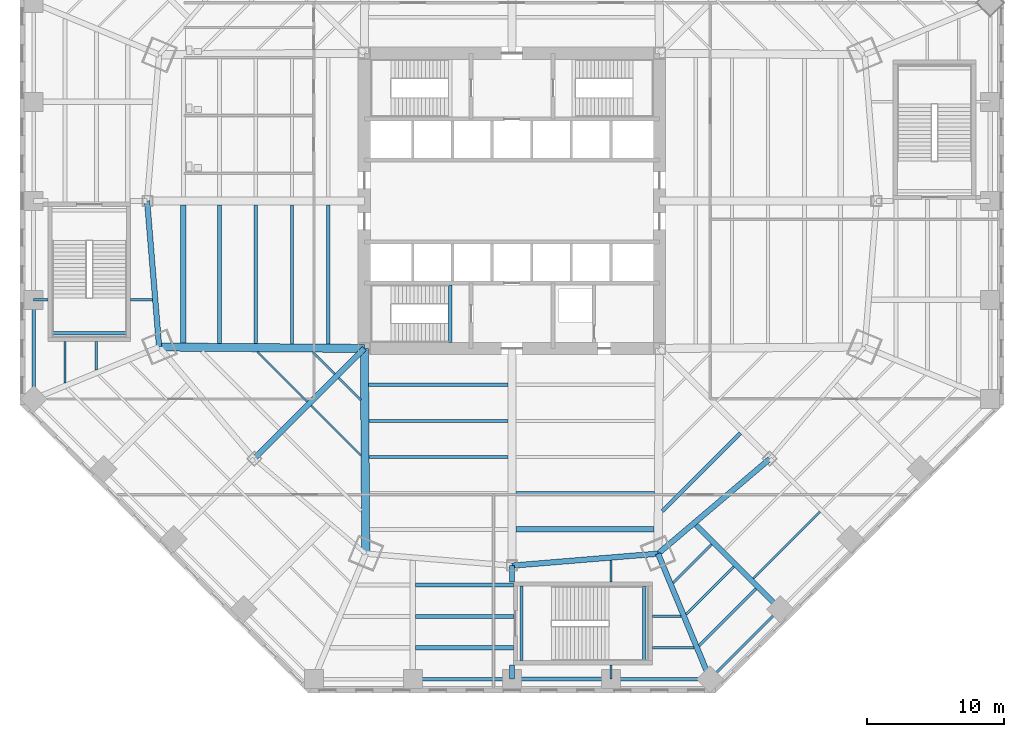
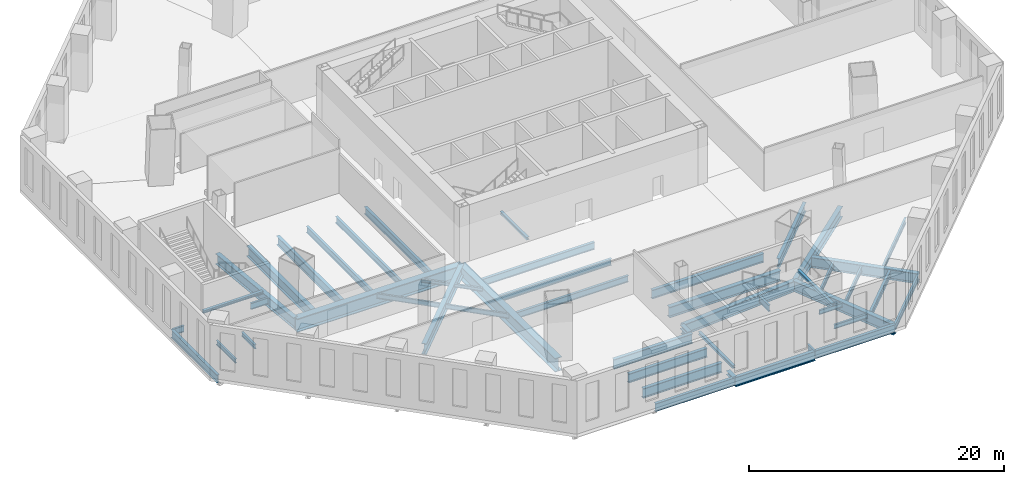
# One storey, part 2 of 18: 45 beams, 4 members.
"""IFC4 building model written with IfcOpenShell, lengths in metres."""

import ifcopenshell
import ifcopenshell.guid

model = None  # the IFC model being written
_history = None  # IfcOwnerHistory: only IFC2X3 demands one
_inside = {}  # id of a spatial element -> (the spatial element, [elements in it])
_under = {}  # id of a project, library or spatial element -> (it, [spatial elements below it])
_declared = {}  # id of a project -> (the project, [libraries it declares])
_typed = {}  # id of a type object -> (the type object, [elements of that type])
_made_of = {}  # id of a material, layer set ... -> (it, [elements and type objects made of it])


def new_model(schema):
    """Start an empty IFC model of exactly this schema.

    Asked for "IFC4X3", IfcOpenShell would pick the latest addendum, in which some entities
    have other attributes; the version numbers below select the first issue.
    IFC2X3 requires an IfcOwnerHistory on every rooted entity: one is made here for all.
    """
    global model, _history
    if schema == "IFC4X3":
        model = ifcopenshell.file(schema_version=(4, 3, 0, 0))
    else:
        model = ifcopenshell.file(schema=schema)
    _inside.clear()
    _under.clear()
    _declared.clear()
    _typed.clear()
    _made_of.clear()
    _history = None
    if model.schema == "IFC2X3":
        org = make("IfcOrganization", Name="unknown")
        user = make(
            "IfcPersonAndOrganization",
            ThePerson=make("IfcPerson", FamilyName="unknown"),
            TheOrganization=org,
        )
        app = make(
            "IfcApplication",
            ApplicationDeveloper=org,
            Version="unknown",
            ApplicationFullName="unknown",
            ApplicationIdentifier="unknown",
        )
        _history = make(
            "IfcOwnerHistory",
            OwningUser=user,
            OwningApplication=app,
            ChangeAction="ADDED",
            CreationDate=0,
        )
    return model


def make(cls, **values):
    """One entity of the class cls with the attributes given. An attribute that is None is left unset."""
    return model.create_entity(
        cls, **{name: value for name, value in values.items() if value is not None}
    )


def rooted(cls, **values):
    """An entity with a GlobalId (a new one), such as an element, a storey or a relation."""
    return make(cls, GlobalId=ifcopenshell.guid.new(), OwnerHistory=_history, **values)


def si_unit(unit_type, name, prefix=None):
    """IfcSIUnit, for example si_unit("LENGTHUNIT", "METRE", prefix="MILLI")."""
    return make("IfcSIUnit", UnitType=unit_type, Prefix=prefix, Name=name)


def assignment(units):
    """IfcUnitAssignment: the units of a project."""
    return None if units is None else make("IfcUnitAssignment", Units=units)


def point(xyz):
    """IfcCartesianPoint."""
    return None if xyz is None else make("IfcCartesianPoint", Coordinates=xyz)


def direction(xyz):
    """IfcDirection."""
    return None if xyz is None else make("IfcDirection", DirectionRatios=xyz)


def frame(location, z_axis=None, x_axis=None):
    """IfcAxis2Placement3D, a coordinate frame: its origin and axes. An axis left out is left unset."""
    return make(
        "IfcAxis2Placement3D",
        Location=point(location),
        Axis=direction(z_axis),
        RefDirection=direction(x_axis),
    )


def frame_2d(location, x_axis=None):
    """IfcAxis2Placement2D, a coordinate frame in the plane: its origin and x axis."""
    return make(
        "IfcAxis2Placement2D", Location=point(location), RefDirection=direction(x_axis)
    )


def origin():
    """The frame at (0, 0, 0) with its axes left unset."""
    return frame((0.0, 0.0, 0.0))


def origin_2d():
    """The frame at (0, 0) in the plane with its x axis left unset."""
    return frame_2d((0.0, 0.0))


def place(relative_to, where):
    """IfcLocalPlacement: puts the frame where relative to a parent placement (None: the world)."""
    return make(
        "IfcLocalPlacement", PlacementRelTo=relative_to, RelativePlacement=where
    )


def context(
    kind, dimensions, precision=None, world=None, true_north=None, identifier=None
):
    """IfcGeometricRepresentationContext, for example the 3D "Model" context."""
    return make(
        "IfcGeometricRepresentationContext",
        ContextIdentifier=identifier,
        ContextType=kind,
        CoordinateSpaceDimension=dimensions,
        Precision=precision,
        WorldCoordinateSystem=world,
        TrueNorth=true_north,
    )


def subcontext(parent, identifier, kind, view, scale=None):
    """IfcGeometricRepresentationSubContext, for example "Body" below "Model"."""
    return make(
        "IfcGeometricRepresentationSubContext",
        ContextIdentifier=identifier,
        ContextType=kind,
        ParentContext=parent,
        TargetScale=scale,
        TargetView=view,
    )


def project(units=None, contexts=None):
    """IfcProject with its units and contexts."""
    return rooted(
        "IfcProject",
        Name="project",
        RepresentationContexts=contexts,
        UnitsInContext=assignment(units),
    )


def spatial(cls, under=None, at=None, **own):
    """A site, building, storey or space (cls), placed at a placement, below another one or the project."""
    s = rooted(cls, ObjectPlacement=at, **own)
    if under is not None:
        _under.setdefault(under.id(), (under, []))[1].append(s)
    return s


def profile(cls, at=None, kind="AREA", **sizes):
    """A parametric profile (cls). Its sizes go by their IFC names, for example OverallWidth=200.0."""
    return make(cls, ProfileType=kind, Position=at, **sizes)


def i_section(**sizes):
    """IfcIShapeProfileDef."""
    return profile("IfcIShapeProfileDef", **sizes)


def extrude(swept, where, along, depth):
    """IfcExtrudedAreaSolid: the profile swept, set in the frame where, extruded along a direction by depth."""
    return make(
        "IfcExtrudedAreaSolid",
        SweptArea=swept,
        Position=where,
        ExtrudedDirection=direction(along),
        Depth=depth,
    )


def shape(context_of_items, identifier, shape_type, items):
    """IfcShapeRepresentation: the items that make up one representation, for example the "Body"."""
    return make(
        "IfcShapeRepresentation",
        ContextOfItems=context_of_items,
        RepresentationIdentifier=identifier,
        RepresentationType=shape_type,
        Items=items,
    )


def source(mapping_origin, context_of_items, identifier, shape_type, items):
    """IfcRepresentationMap: a shape defined once, which mapped items show again and again."""
    return make(
        "IfcRepresentationMap",
        MappingOrigin=mapping_origin,
        MappedRepresentation=shape(context_of_items, identifier, shape_type, items),
    )


def transform(
    local_origin,
    x_axis=None,
    y_axis=None,
    z_axis=None,
    scale=None,
    scale2=None,
    scale3=None,
    uniform=True,
):
    """IfcCartesianTransformationOperator3D, or its non-uniform kind. x_axis, y_axis, z_axis: its Axis1, 2, 3."""
    if uniform:
        return make(
            "IfcCartesianTransformationOperator3D",
            Axis1=direction(x_axis),
            Axis2=direction(y_axis),
            LocalOrigin=point(local_origin),
            Scale=scale,
            Axis3=direction(z_axis),
        )
    return make(
        "IfcCartesianTransformationOperator3DnonUniform",
        Axis1=direction(x_axis),
        Axis2=direction(y_axis),
        LocalOrigin=point(local_origin),
        Scale=scale,
        Axis3=direction(z_axis),
        Scale2=scale2,
        Scale3=scale3,
    )


def mapped(mapping_source, mapping_target):
    """IfcMappedItem: shows the shape of a source again, moved by a transform."""
    return make(
        "IfcMappedItem", MappingSource=mapping_source, MappingTarget=mapping_target
    )


def material(Name=None, Category=None):
    """IfcMaterial."""
    return make("IfcMaterial", Name=Name, Category=Category)


def material_profile(
    of_material, cross_section, Name=None, Category=None, Priority=None
):
    """IfcMaterialProfile: a cross section and its material."""
    return make(
        "IfcMaterialProfile",
        Name=Name,
        Material=of_material,
        Profile=cross_section,
        Priority=Priority,
        Category=Category,
    )


def profile_set(profiles, Name=None, composite=None):
    """IfcMaterialProfileSet."""
    return make(
        "IfcMaterialProfileSet",
        Name=Name,
        MaterialProfiles=profiles,
        CompositeProfile=composite,
    )


def made_of(thing, what):
    """Note that an element or type object is made of a material, layer set ...; save() writes the relation."""
    if what is not None:
        _made_of.setdefault(what.id(), (what, []))[1].append(thing)
    return thing


def type_object(cls, material=None, **own):
    """A type object (cls), such as IfcWallType, which elements share."""
    return made_of(rooted(cls, **own), material)


def type_shapes(of_type, sources):
    """Give a type object the sources (RepresentationMaps) that its elements show as mapped items."""
    of_type.RepresentationMaps = sources


def element(
    cls,
    number,
    at=None,
    inside=None,
    cuts=None,
    type_object=None,
    material=None,
    context=None,
    identifier="Body",
    shape_type=None,
    held_by="IfcProductDefinitionShape",
    body=None,
    shapes=None,
    **own,
):
    """One element of the class cls, such as IfcWall. Its Tag is "e" and its number.

    at: its placement. inside: the storey or other place that contains it. cuts: it is an
    opening in that element (IfcRelVoidsElement). A single representation is given by context,
    identifier, shape_type and body (its items); several are given by shapes. held_by: the class
    of the entity that holds the representations. save() writes the other relations.
    """
    e = rooted(cls, Tag="e%d" % number, ObjectPlacement=at, **own)
    if body is not None:
        shapes = [shape(context, identifier, shape_type, body)]
    if shapes is not None:
        e.Representation = make(held_by, Representations=shapes)
    if inside is not None:
        _inside.setdefault(inside.id(), (inside, []))[1].append(e)
    if cuts is not None:
        rooted(
            "IfcRelVoidsElement", RelatingBuildingElement=cuts, RelatedOpeningElement=e
        )
    if type_object is not None:
        _typed.setdefault(type_object.id(), (type_object, []))[1].append(e)
    return made_of(e, material)


def aggregate(whole, parts):
    """IfcRelAggregates: a whole, such as a stair, and the parts it consists of."""
    return rooted("IfcRelAggregates", RelatingObject=whole, RelatedObjects=parts)


def save(model, path):
    """Write the relations noted so far, then the file.

    IfcRelAggregates (storeys below a building ...), IfcRelContainedInSpatialStructure (elements
    in a storey), IfcRelDefinesByType, IfcRelAssociatesMaterial and IfcRelDeclares: one each for
    every whole, place, type object, material and project.
    """
    for whole, parts in _under.values():
        aggregate(whole, parts)
    for where, things in _inside.values():
        rooted(
            "IfcRelContainedInSpatialStructure",
            RelatedElements=things,
            RelatingStructure=where,
        )
    for kind, things in _typed.values():
        rooted("IfcRelDefinesByType", RelatedObjects=things, RelatingType=kind)
    for what, things in _made_of.values():
        rooted("IfcRelAssociatesMaterial", RelatedObjects=things, RelatingMaterial=what)
    for by, libraries in _declared.values():
        rooted("IfcRelDeclares", RelatingContext=by, RelatedDefinitions=libraries)
    model.write(path)


model = new_model("IFC4")

# Units and contexts
model_context = context("Model", 3, precision=1e-05, world=origin(), true_north=direction((0.0, 1.0)))
body_context = subcontext(model_context, "Body", "Model", "MODEL_VIEW")
ifc_project = project(units=[si_unit("LENGTHUNIT", "METRE"), si_unit("AREAUNIT", "SQUARE_METRE"), si_unit("VOLUMEUNIT", "CUBIC_METRE"), si_unit("PLANEANGLEUNIT", "RADIAN"), si_unit("MASSUNIT", "GRAM", prefix="KILO")], contexts=[model_context])

# Site, building, storey
site_placement = place(None, origin())
site = spatial("IfcSite", under=ifc_project, at=site_placement, CompositionType="ELEMENT")
building_placement = place(site_placement, origin())
building = spatial("IfcBuilding", under=site, at=building_placement, Name="Mashrafa Tower", CompositionType="ELEMENT")
storey_placement = place(building_placement, frame((0.0, 0.0, 18.60009765625)))
storey = spatial("IfcBuildingStorey", under=building, at=storey_placement, Name="L03", CompositionType="ELEMENT", Elevation=18.60009765625)

# Beams
ifc_material_1 = material(Name="Steel ASTM A572 Gr 50", Category="steel")
ifc_material_profile_1 = material_profile(ifc_material_1, i_section(OverallWidth=0.60009765625, OverallDepth=1.300048828125, WebThickness=0.028076171875, FlangeThickness=0.06494140625, at=origin_2d()), Name="H1300X600X28X65")
ifc_profile_set_1 = profile_set([ifc_material_profile_1], Name="Steel ASTM A572 Gr 50")
beam_type_1 = type_object("IfcBeamType", Name="Beam H1300X600X28X65", PredefinedType="BEAM", material=ifc_profile_set_1)
for number, where, z_axis, x_axis, name in (
    (1, (-10.800048828125, -10.800048828125, -0.9501953125), (-0.999975343516, 0.00702227593, 0.0), (-0.00702227593, -0.999975343516, 0.0), "Radial girder L03 213"),
    (2, (-10.800048828125, -10.800048828125, -0.9501953125), (0.00702227593, -0.999975343516, 0.0), (0.999975343516, 0.00702227593, 0.0), "Radial girder L03 215"),
):
    element("IfcBeam", number, at=place(storey_placement, frame(where, z_axis=z_axis, x_axis=x_axis)), inside=storey, type_object=beam_type_1, Name=name, PredefinedType="BEAM", context=body_context, shape_type="SweptSolid", body=[
        extrude(i_section(OverallWidth=0.60009765625, OverallDepth=1.300048828125, WebThickness=0.028076171875, FlangeThickness=0.06494140625, at=origin_2d()), origin(), (0.0, 0.0, 1.0), 15.019287109375),
    ])
ifc_material_2 = material(Name="Steel ASTM A992", Category="steel")
ifc_material_profile_2 = material_profile(ifc_material_2, i_section(OverallWidth=0.164794921875, OverallDepth=0.309814453125, WebThickness=0.005859375, FlangeThickness=0.009765625, FilletRadius=0.007568359375, at=origin_2d()), Name="W12X26")
ifc_profile_set_2 = profile_set([ifc_material_profile_2], Name="Steel ASTM A992")
beam_type_2 = type_object("IfcBeamType", Name="Beam W12X26", PredefinedType="BEAM", material=ifc_profile_set_2)
for number, where, z_axis, x_axis, name in (
    (3, (-12.964111328125, -12.6748046875, -0.455078125), (-0.707052871471, 0.707160686792, 0.0), (-0.707160686792, -0.707052871471, 0.0), "Floor beam L03 042"),
    (4, (-11.073486328125, -14.565185546875, -0.455078125), (-0.707160686792, 0.707052871471, 0.0), (-0.707052871471, -0.707160686792, 0.0), "Floor beam L03 048"),
):
    element("IfcBeam", number, at=place(storey_placement, frame(where, z_axis=z_axis, x_axis=x_axis)), inside=storey, type_object=beam_type_2, Name=name, PredefinedType="BEAM", context=body_context, shape_type="SweptSolid", body=[
        extrude(i_section(OverallWidth=0.164794921875, OverallDepth=0.309814453125, WebThickness=0.005859375, FlangeThickness=0.009765625, FilletRadius=0.007568359375, at=origin_2d()), origin(), (0.0, 0.0, 1.0), 2.264404296875),
    ])
ifc_material_3 = material(Name="Steel ASTM A992", Category="steel")
ifc_material_profile_3 = material_profile(ifc_material_3, i_section(OverallWidth=0.177734375, OverallDepth=0.406494140625, WebThickness=0.0078125, FlangeThickness=0.012939453125, FilletRadius=0.01025390625, at=origin_2d()), Name="W16X40")
ifc_profile_set_3 = profile_set([ifc_material_profile_3], Name="Steel ASTM A992")
beam_type_3 = type_object("IfcBeamType", Name="Beam W16X40", PredefinedType="BEAM", material=ifc_profile_set_3)
beam_1_placement = place(storey_placement, frame((-32.70458984375, -13.32958984375, -0.50341796875), z_axis=(0.0, 1.0, 0.0), x_axis=(-1.0, 0.0, 0.0)))
element("IfcBeam", 5, at=beam_1_placement, inside=storey, type_object=beam_type_3, Name="Floor beam L03 001", PredefinedType="BEAM", context=body_context, shape_type="SweptSolid", body=[
    extrude(i_section(OverallWidth=0.177734375, OverallDepth=0.406494140625, WebThickness=0.0078125, FlangeThickness=0.012939453125, FilletRadius=0.01025390625, at=origin_2d()), origin(), (0.0, 0.0, 1.0), 3.029541015625),
])
for number, where, z_axis, x_axis, name in (
    (6, (-30.409423828125, -12.37890625, -0.50341796875), (0.0, 1.0, 0.0), (-1.0, 0.0, 0.0), "Floor beam L03 004"),
    (7, (12.37890625, -30.409423828125, -0.50341796875), (-1.0, 0.0, 0.0), (0.0, -1.0, 0.0), "Floor beam L03 080"),
):
    element("IfcBeam", number, at=place(storey_placement, frame(where, z_axis=z_axis, x_axis=x_axis)), inside=storey, type_object=beam_type_3, Name=name, PredefinedType="BEAM", context=body_context, shape_type="SweptSolid", body=[
        extrude(i_section(OverallWidth=0.177734375, OverallDepth=0.406494140625, WebThickness=0.0078125, FlangeThickness=0.012939453125, FilletRadius=0.01025390625, at=origin_2d()), origin(), (0.0, 0.0, 1.0), 2.078857421875),
    ])
beam_2_placement = place(storey_placement, frame((13.32958984375, -32.70458984375, -0.50341796875), z_axis=(-1.0, 0.0, 0.0), x_axis=(0.0, -1.0, 0.0)))
element("IfcBeam", 8, at=beam_2_placement, inside=storey, type_object=beam_type_3, Name="Floor beam L03 086", PredefinedType="BEAM", context=body_context, shape_type="SweptSolid", body=[
    extrude(i_section(OverallWidth=0.177734375, OverallDepth=0.406494140625, WebThickness=0.0078125, FlangeThickness=0.012939453125, FilletRadius=0.01025390625, at=origin_2d()), origin(), (0.0, 0.0, 1.0), 3.029541015625),
])
ifc_material_4 = material(Name="Steel ASTM A992", Category="steel")
ifc_material_profile_4 = material_profile(ifc_material_4, i_section(OverallWidth=0.15234375, OverallDepth=0.449462890625, WebThickness=0.007568359375, FlangeThickness=0.0107421875, FilletRadius=0.01025390625, at=origin_2d()), Name="W18X35")
ifc_profile_set_4 = profile_set([ifc_material_profile_4], Name="Steel ASTM A992")
beam_type_4 = type_object("IfcBeamType", Name="Beam W18X35", PredefinedType="BEAM", material=ifc_profile_set_4)
for number, where, z_axis, x_axis, name in (
    (9, (-14.9833984375, -14.6943359375, -0.52490234375), (-0.707106781187, 0.707106781187, 0.0), (-0.707106781187, -0.707106781187, 0.0), "Floor beam L03 035"),
    (10, (-11.044921875, -18.6328125, -0.52490234375), (-0.707106781187, 0.707106781187, 0.0), (-0.707106781187, -0.707106781187, 0.0), "Floor beam L03 051"),
):
    element("IfcBeam", number, at=place(storey_placement, frame(where, z_axis=z_axis, x_axis=x_axis)), inside=storey, type_object=beam_type_4, Name=name, PredefinedType="BEAM", context=body_context, shape_type="SweptSolid", body=[
        extrude(i_section(OverallWidth=0.15234375, OverallDepth=0.449462890625, WebThickness=0.007568359375, FlangeThickness=0.0107421875, FilletRadius=0.01025390625, at=origin_2d()), origin(), (0.0, 0.0, 1.0), 5.1611328125),
    ])
ifc_material_5 = material(Name="Steel ASTM A992", Category="steel")
ifc_material_profile_5 = material_profile(ifc_material_5, i_section(OverallWidth=0.1650390625, OverallDepth=0.52587890625, WebThickness=0.0087890625, FlangeThickness=0.011474609375, FilletRadius=0.0126953125, at=origin_2d()), Name="W21X44")
ifc_profile_set_5 = profile_set([ifc_material_profile_5], Name="Steel ASTM A992")
beam_type_5 = type_object("IfcBeamType", Name="Beam W21X44", PredefinedType="BEAM", material=ifc_profile_set_5)
beam_3_placement = place(storey_placement, frame((22.542724609375, -22.760009765625, -0.56298828125), z_axis=(-0.707089075409, -0.707124486521, 0.0), x_axis=(0.707124486521, -0.707089075409, 0.0)))
element("IfcBeam", 11, at=beam_3_placement, inside=storey, type_object=beam_type_5, Name="Floor beam L03 107", PredefinedType="BEAM", context=body_context, shape_type="SweptSolid", body=[
    extrude(i_section(OverallWidth=0.1650390625, OverallDepth=0.52587890625, WebThickness=0.0087890625, FlangeThickness=0.011474609375, FilletRadius=0.0126953125, at=origin_2d()), origin(), (0.0, 0.0, 1.0), 6.89453125),
])
ifc_material_6 = material(Name="Steel ASTM A992", Category="steel")
ifc_material_profile_6 = material_profile(ifc_material_6, i_section(OverallWidth=0.165771484375, OverallDepth=0.5283203125, WebThickness=0.009765625, FlangeThickness=0.013671875, FilletRadius=0.012939453125, at=origin_2d()), Name="W21X50")
ifc_profile_set_6 = profile_set([ifc_material_profile_6], Name="Steel ASTM A992")
beam_type_6 = type_object("IfcBeamType", Name="Beam W21X50", PredefinedType="BEAM", material=ifc_profile_set_6)
beam_4_placement = place(storey_placement, frame((14.612060546875, -25.147216796875, -0.564208984375), z_axis=(-0.707106781187, -0.707106781187, 0.0), x_axis=(0.707106781187, -0.707106781187, 0.0)))
element("IfcBeam", 12, at=beam_4_placement, inside=storey, type_object=beam_type_6, Name="Floor beam L03 088", PredefinedType="BEAM", context=body_context, shape_type="SweptSolid", body=[
    extrude(i_section(OverallWidth=0.165771484375, OverallDepth=0.5283203125, WebThickness=0.009765625, FlangeThickness=0.013671875, FilletRadius=0.012939453125, at=origin_2d()), origin(), (0.0, 0.0, 1.0), 3.978515625),
])
beam_5_placement = place(storey_placement, frame((16.235107421875, -26.770263671875, -0.564208984375), z_axis=(-0.707106781187, -0.707106781187, 0.0), x_axis=(0.707106781187, -0.707106781187, 0.0)))
element("IfcBeam", 13, at=beam_5_placement, inside=storey, type_object=beam_type_6, Name="Floor beam L03 095", PredefinedType="BEAM", context=body_context, shape_type="SweptSolid", body=[
    extrude(i_section(OverallWidth=0.165771484375, OverallDepth=0.5283203125, WebThickness=0.009765625, FlangeThickness=0.013671875, FilletRadius=0.012939453125, at=origin_2d()), origin(), (0.0, 0.0, 1.0), 4.929443359375),
])
ifc_material_7 = material(Name="Steel ASTM A992", Category="steel")
ifc_material_profile_7 = material_profile(ifc_material_7, i_section(OverallWidth=0.177978515625, OverallDepth=0.599365234375, WebThickness=0.010009765625, FlangeThickness=0.012939453125, FilletRadius=0.012939453125, at=origin_2d()), Name="W24X55")
ifc_profile_set_7 = profile_set([ifc_material_profile_7], Name="Steel ASTM A992")
beam_type_7 = type_object("IfcBeamType", Name="Beam W24X55", PredefinedType="BEAM", material=ifc_profile_set_7)
beam_6_placement = place(storey_placement, frame((14.49755859375, -35.0, -0.599853515625), z_axis=(0.707106781187, 0.707106781187, 0.0), x_axis=(-0.707106781187, 0.707106781187, 0.0)))
element("IfcBeam", 14, at=beam_6_placement, inside=storey, type_object=beam_type_7, Name="Podium edge beam L03 144", PredefinedType="BEAM", context=body_context, shape_type="SweptSolid", body=[
    extrude(i_section(OverallWidth=0.177978515625, OverallDepth=0.599365234375, WebThickness=0.010009765625, FlangeThickness=0.012939453125, FilletRadius=0.012939453125, at=origin_2d()), origin(), (0.0, 0.0, 1.0), 7.24853515625),
])
for number, where, z_axis, x_axis, name in (
    (15, (-26.302978515625, -7.248779296875, -0.599853515625), (-1.0, 0.0, 0.0), (0.0, -1.0, 0.0), "Podium radial beam L03 160"),
    (16, (7.248779296875, -26.302978515625, -0.599853515625), (0.0, -1.0, 0.0), (1.0, 0.0, 0.0), "Podium radial beam L03 180"),
):
    element("IfcBeam", number, at=place(storey_placement, frame(where, z_axis=z_axis, x_axis=x_axis)), inside=storey, type_object=beam_type_7, Name=name, PredefinedType="BEAM", context=body_context, shape_type="SweptSolid", body=[
        extrude(i_section(OverallWidth=0.177978515625, OverallDepth=0.599365234375, WebThickness=0.010009765625, FlangeThickness=0.012939453125, FilletRadius=0.012939453125, at=origin_2d()), origin(), (0.0, 0.0, 1.0), 1.596923828125),
    ])
ifc_material_8 = material(Name="Steel ASTM A992", Category="steel")
ifc_material_profile_8 = material_profile(ifc_material_8, i_section(OverallWidth=0.227783203125, OverallDepth=0.60205078125, WebThickness=0.010498046875, FlangeThickness=0.014892578125, FilletRadius=0.012939453125, at=origin_2d()), Name="W24X68")
ifc_profile_set_8 = profile_set([ifc_material_profile_8], Name="Steel ASTM A992")
beam_type_8 = type_object("IfcBeamType", Name="Beam W24X68", PredefinedType="BEAM", material=ifc_profile_set_8)
beam_7_placement = place(storey_placement, frame((-18.74853515625, -10.444091796875, -0.60107421875), z_axis=(0.0, 1.0, 0.0), x_axis=(-1.0, 0.0, 0.0)))
element("IfcBeam", 17, at=beam_7_placement, inside=storey, type_object=beam_type_8, Name="Floor beam L03 024", PredefinedType="BEAM", context=body_context, shape_type="SweptSolid", body=[
    extrude(i_section(OverallWidth=0.227783203125, OverallDepth=0.60205078125, WebThickness=0.010498046875, FlangeThickness=0.014892578125, FilletRadius=0.012939453125, at=origin_2d()), origin(), (0.0, 0.0, 1.0), 10.14404296875),
])
beam_8_placement = place(storey_placement, frame((-16.09912109375, -10.462890625, -0.60107421875), z_axis=(0.0, 1.0, 0.0), x_axis=(-1.0, 0.0, 0.0)))
element("IfcBeam", 18, at=beam_8_placement, inside=storey, type_object=beam_type_8, Name="Floor beam L03 031", PredefinedType="BEAM", context=body_context, shape_type="SweptSolid", body=[
    extrude(i_section(OverallWidth=0.227783203125, OverallDepth=0.60205078125, WebThickness=0.010498046875, FlangeThickness=0.014892578125, FilletRadius=0.012939453125, at=origin_2d()), origin(), (0.0, 0.0, 1.0), 10.162841796875),
])
beam_9_placement = place(storey_placement, frame((-0.300048828125, -18.74853515625, -0.60107421875), z_axis=(-1.0, 0.0, 0.0), x_axis=(0.0, -1.0, 0.0)))
element("IfcBeam", 19, at=beam_9_placement, inside=storey, type_object=beam_type_8, Name="Floor beam L03 060", PredefinedType="BEAM", context=body_context, shape_type="SweptSolid", body=[
    extrude(i_section(OverallWidth=0.227783203125, OverallDepth=0.60205078125, WebThickness=0.010498046875, FlangeThickness=0.014892578125, FilletRadius=0.012939453125, at=origin_2d()), origin(), (0.0, 0.0, 1.0), 10.14404296875),
])
beam_10_placement = place(storey_placement, frame((-0.300048828125, -16.09912109375, -0.60107421875), z_axis=(-1.0, 0.0, 0.0), x_axis=(0.0, -1.0, 0.0)))
element("IfcBeam", 20, at=beam_10_placement, inside=storey, type_object=beam_type_8, Name="Floor beam L03 061", PredefinedType="BEAM", context=body_context, shape_type="SweptSolid", body=[
    extrude(i_section(OverallWidth=0.227783203125, OverallDepth=0.60205078125, WebThickness=0.010498046875, FlangeThickness=0.014892578125, FilletRadius=0.012939453125, at=origin_2d()), origin(), (0.0, 0.0, 1.0), 10.162841796875),
])
beam_11_placement = place(storey_placement, frame((17.858154296875, -28.393310546875, -0.60107421875), z_axis=(-0.707127540894, -0.707086020869, 0.0), x_axis=(0.707086020869, -0.707127540894, 0.0)))
element("IfcBeam", 21, at=beam_11_placement, inside=storey, type_object=beam_type_8, Name="Floor beam L03 099", PredefinedType="BEAM", context=body_context, shape_type="SweptSolid", body=[
    extrude(i_section(OverallWidth=0.227783203125, OverallDepth=0.60205078125, WebThickness=0.010498046875, FlangeThickness=0.014892578125, FilletRadius=0.012939453125, at=origin_2d()), origin(), (0.0, 0.0, 1.0), 5.880126953125),
])
ifc_material_9 = material(Name="Steel ASTM A992", Category="steel")
ifc_material_profile_9 = material_profile(ifc_material_9, i_section(OverallWidth=0.25390625, OverallDepth=0.67822265625, WebThickness=0.01171875, FlangeThickness=0.016357421875, FilletRadius=0.01513671875, at=origin_2d()), Name="W27X84")
ifc_profile_set_9 = profile_set([ifc_material_profile_9], Name="Steel ASTM A992")
beam_type_9 = type_object("IfcBeamType", Name="Beam W27X84", PredefinedType="BEAM", material=ifc_profile_set_9)
for number, where, z_axis, x_axis, name in (
    (22, (-13.449462890625, -10.4814453125, -0.63916015625), (0.0, 1.0, 0.0), (-1.0, 0.0, 0.0), "Floor beam L03 040"),
    (23, (-0.300048828125, -13.449462890625, -0.63916015625), (-1.0, 0.0, 0.0), (0.0, -1.0, 0.0), "Floor beam L03 062"),
):
    element("IfcBeam", number, at=place(storey_placement, frame(where, z_axis=z_axis, x_axis=x_axis)), inside=storey, type_object=beam_type_9, Name=name, PredefinedType="BEAM", context=body_context, shape_type="SweptSolid", body=[
        extrude(i_section(OverallWidth=0.25390625, OverallDepth=0.67822265625, WebThickness=0.01171875, FlangeThickness=0.016357421875, FilletRadius=0.01513671875, at=origin_2d()), origin(), (0.0, 0.0, 1.0), 10.181396484375),
    ])
ifc_material_10 = material(Name="Steel ASTM A992", Category="steel")
ifc_material_profile_10 = material_profile(ifc_material_10, i_section(OverallWidth=0.2666015625, OverallDepth=0.75439453125, WebThickness=0.01318359375, FlangeThickness=0.01708984375, FilletRadius=0.0166015625, at=origin_2d()), Name="W30X99")
ifc_profile_set_10 = profile_set([ifc_material_profile_10], Name="Steel ASTM A992")
beam_type_10 = type_object("IfcBeamType", Name="Beam W30X99", PredefinedType="BEAM", material=ifc_profile_set_10)
for number, where, z_axis, x_axis, name in (
    (24, (-35.0, -7.248779296875, -0.67724609375), (0.0, -1.0, 0.0), (1.0, 0.0, 0.0), "Podium edge beam L03 126"),
    (25, (-7.248779296875, -35.0, -0.67724609375), (1.0, 0.0, 0.0), (0.0, 1.0, 0.0), "Podium edge beam L03 138"),
    (26, (7.248779296875, -35.0, -0.67724609375), (1.0, 0.0, 0.0), (0.0, 1.0, 0.0), "Podium edge beam L03 142"),
):
    element("IfcBeam", number, at=place(storey_placement, frame(where, z_axis=z_axis, x_axis=x_axis)), inside=storey, type_object=beam_type_10, Name=name, PredefinedType="BEAM", context=body_context, shape_type="SweptSolid", body=[
        extrude(i_section(OverallWidth=0.2666015625, OverallDepth=0.75439453125, WebThickness=0.01318359375, FlangeThickness=0.01708984375, FilletRadius=0.0166015625, at=origin_2d()), origin(), (0.0, 0.0, 1.0), 7.248779296875),
    ])
ifc_material_11 = material(Name="Steel ASTM A992", Category="steel")
ifc_material_profile_11 = material_profile(ifc_material_11, i_section(OverallWidth=0.2919921875, OverallDepth=0.8408203125, WebThickness=0.0146484375, FlangeThickness=0.021728515625, FilletRadius=0.017333984375, at=origin_2d()), Name="W33X130")
ifc_profile_set_11 = profile_set([ifc_material_profile_11], Name="Steel ASTM A992")
beam_type_11 = type_object("IfcBeamType", Name="Beam W33X130", PredefinedType="BEAM", material=ifc_profile_set_11)
beam_12_placement = place(storey_placement, frame((16.713623046875, -17.0029296875, -0.720458984375), z_axis=(-0.707106781187, -0.707106781187, 0.0), x_axis=(0.707106781187, -0.707106781187, 0.0)))
element("IfcBeam", 27, at=beam_12_placement, inside=storey, type_object=beam_type_11, Name="Floor beam L03 096", PredefinedType="BEAM", context=body_context, shape_type="SweptSolid", body=[
    extrude(i_section(OverallWidth=0.2919921875, OverallDepth=0.8408203125, WebThickness=0.0146484375, FlangeThickness=0.021728515625, FilletRadius=0.017333984375, at=origin_2d()), origin(), (0.0, 0.0, 1.0), 8.05712890625),
])
ifc_material_12 = material(Name="Steel ASTM A992", Category="steel")
ifc_material_profile_12 = material_profile(ifc_material_12, i_section(OverallWidth=0.2919921875, OverallDepth=0.845703125, WebThickness=0.015380859375, FlangeThickness=0.0244140625, FilletRadius=0.017333984375, at=origin_2d()), Name="W33X141")
ifc_profile_set_12 = profile_set([ifc_material_profile_12], Name="Steel ASTM A992")
beam_type_12 = type_object("IfcBeamType", Name="Beam W33X141", PredefinedType="BEAM", material=ifc_profile_set_12)
for number, where, z_axis, x_axis, name in (
    (28, (-21.39794921875, -10.425537109375, -0.722900390625), (0.0, 1.0, 0.0), (-1.0, 0.0, 0.0), "Floor beam L03 019"),
    (29, (10.425537109375, -21.39794921875, -0.722900390625), (-1.0, 0.0, 0.0), (0.0, -1.0, 0.0), "Floor beam L03 073"),
):
    element("IfcBeam", number, at=place(storey_placement, frame(where, z_axis=z_axis, x_axis=x_axis)), inside=storey, type_object=beam_type_12, Name=name, PredefinedType="BEAM", context=body_context, shape_type="SweptSolid", body=[
        extrude(i_section(OverallWidth=0.2919921875, OverallDepth=0.845703125, WebThickness=0.015380859375, FlangeThickness=0.0244140625, FilletRadius=0.017333984375, at=origin_2d()), origin(), (0.0, 0.0, 1.0), 10.12548828125),
    ])
ifc_material_13 = material(Name="Steel ASTM A992", Category="steel")
ifc_material_profile_13 = material_profile(ifc_material_13, i_section(OverallWidth=0.2919921875, OverallDepth=0.8583984375, WebThickness=0.01708984375, FlangeThickness=0.031005859375, FilletRadius=0.017822265625, at=origin_2d()), Name="W33X169")
ifc_profile_set_13 = profile_set([ifc_material_profile_13], Name="Steel ASTM A992")
beam_type_13 = type_object("IfcBeamType", Name="Beam W33X169", PredefinedType="BEAM", material=ifc_profile_set_13)
beam_13_placement = place(storey_placement, frame((0.10009765625, -30.409423828125, -0.729248046875), z_axis=(-1.0, 0.0, 0.0), x_axis=(0.0, -1.0, 0.0)))
element("IfcBeam", 30, at=beam_13_placement, inside=storey, type_object=beam_type_13, Name="Floor beam L03 069 part 1", PredefinedType="BEAM", context=body_context, shape_type="SweptSolid", body=[
    extrude(i_section(OverallWidth=0.2919921875, OverallDepth=0.8583984375, WebThickness=0.01708984375, FlangeThickness=0.031005859375, FilletRadius=0.017822265625, at=origin_2d()), origin(), (0.0, 0.0, 1.0), 7.148193359375),
])
ifc_material_14 = material(Name="Steel ASTM A992", Category="steel")
ifc_material_profile_14 = material_profile(ifc_material_14, i_section(OverallWidth=0.3046875, OverallDepth=0.911865234375, WebThickness=0.015869140625, FlangeThickness=0.02392578125, FilletRadius=0.01904296875, at=origin_2d()), Name="W36X150")
ifc_profile_set_14 = profile_set([ifc_material_profile_14], Name="Steel ASTM A992")
beam_type_14 = type_object("IfcBeamType", Name="Beam W36X150", PredefinedType="BEAM", material=ifc_profile_set_14)
beam_14_placement = place(storey_placement, frame((0.0, -35.0, -0.756103515625), z_axis=(1.0, 0.0, 0.0), x_axis=(0.0, 1.0, 0.0)))
element("IfcBeam", 31, at=beam_14_placement, inside=storey, type_object=beam_type_14, Name="Podium edge beam L03 140", PredefinedType="BEAM", context=body_context, shape_type="SweptSolid", body=[
    extrude(i_section(OverallWidth=0.3046875, OverallDepth=0.911865234375, WebThickness=0.015869140625, FlangeThickness=0.02392578125, FilletRadius=0.01904296875, at=origin_2d()), origin(), (0.0, 0.0, 1.0), 7.248779296875),
])
ifc_material_15 = material(Name="Steel ASTM A992", Category="steel")
ifc_material_profile_15 = material_profile(ifc_material_15, i_section(OverallWidth=0.307373046875, OverallDepth=0.927001953125, WebThickness=0.01953125, FlangeThickness=0.031982421875, FilletRadius=0.01904296875, at=origin_2d()), Name="W36X194")
ifc_profile_set_15 = profile_set([ifc_material_profile_15], Name="Steel ASTM A992")
beam_type_15 = type_object("IfcBeamType", Name="Beam W36X194", PredefinedType="BEAM", material=ifc_profile_set_15)
for number, where, z_axis, x_axis, name in (
    (32, (0.10009765625, -32.70458984375, -0.763671875), (-1.0, 0.0, 0.0), (0.0, -1.0, 0.0), "Floor beam L03 068 part 1"),
    (33, (0.10009765625, -28.114013671875, -0.763671875), (-1.0, 0.0, 0.0), (0.0, -1.0, 0.0), "Floor beam L03 070 part 1"),
):
    element("IfcBeam", number, at=place(storey_placement, frame(where, z_axis=z_axis, x_axis=x_axis)), inside=storey, type_object=beam_type_15, Name=name, PredefinedType="BEAM", context=body_context, shape_type="SweptSolid", body=[
        extrude(i_section(OverallWidth=0.307373046875, OverallDepth=0.927001953125, WebThickness=0.01953125, FlangeThickness=0.031982421875, FilletRadius=0.01904296875, at=origin_2d()), origin(), (0.0, 0.0, 1.0), 7.148193359375),
    ])
ifc_material_16 = material(Name="Steel ASTM A992", Category="steel")
ifc_material_profile_16 = material_profile(ifc_material_16, i_section(OverallWidth=0.4013671875, OverallDepth=0.98291015625, WebThickness=0.0166015625, FlangeThickness=0.027099609375, FilletRadius=0.0126953125, at=origin_2d()), Name="W40X199")
ifc_profile_set_16 = profile_set([ifc_material_profile_16], Name="Steel ASTM A992")
beam_type_16 = type_object("IfcBeamType", Name="Beam W40X199", PredefinedType="BEAM", material=ifc_profile_set_16)
beam_15_placement = place(storey_placement, frame((13.473388671875, -23.724853515625, -0.79150390625), z_axis=(0.707106781187, -0.707106781187, 0.0), x_axis=(0.707106781187, 0.707106781187, 0.0)))
element("IfcBeam", 34, at=beam_15_placement, inside=storey, type_object=beam_type_16, Name="Podium radial beam L03 184", PredefinedType="BEAM", context=body_context, shape_type="SweptSolid", body=[
    extrude(i_section(OverallWidth=0.4013671875, OverallDepth=0.98291015625, WebThickness=0.0166015625, FlangeThickness=0.027099609375, FilletRadius=0.0126953125, at=origin_2d()), origin(), (0.0, 0.0, 1.0), 8.697021484375),
])
ifc_material_17 = material(Name="Steel ASTM A992", Category="steel")
ifc_material_profile_17 = material_profile(ifc_material_17, i_section(OverallWidth=0.4013671875, OverallDepth=1.010986328125, WebThickness=0.023681640625, FlangeThickness=0.0419921875, FilletRadius=0.02001953125, at=origin_2d()), Name="W40X297")
ifc_profile_set_17 = profile_set([ifc_material_profile_17], Name="Steel ASTM A992")
beam_type_17 = type_object("IfcBeamType", Name="Beam W40X297", PredefinedType="BEAM", material=ifc_profile_set_17)
for number, where, z_axis, x_axis, name in (
    (35, (-24.047607421875, -10.406982421875, -0.8056640625), (0.0, 1.0, 0.0), (-1.0, 0.0, 0.0), "Floor beam L03 014"),
    (36, (10.406982421875, -24.047607421875, -0.8056640625), (-1.0, 0.0, 0.0), (0.0, -1.0, 0.0), "Floor beam L03 071"),
):
    element("IfcBeam", number, at=place(storey_placement, frame(where, z_axis=z_axis, x_axis=x_axis)), inside=storey, type_object=beam_type_17, Name=name, PredefinedType="BEAM", context=body_context, shape_type="SweptSolid", body=[
        extrude(i_section(OverallWidth=0.4013671875, OverallDepth=1.010986328125, WebThickness=0.023681640625, FlangeThickness=0.0419921875, FilletRadius=0.02001953125, at=origin_2d()), origin(), (0.0, 0.0, 1.0), 10.10693359375),
    ])
beam_16_placement = place(storey_placement, frame((10.694580078125, -25.81884765625, -0.8056640625), z_axis=(0.382685210022, -0.92387879618, 0.0), x_axis=(0.92387879618, 0.382685210022, 0.0)))
element("IfcBeam", 37, at=beam_16_placement, inside=storey, type_object=beam_type_17, Name="Podium radial beam L03 182", PredefinedType="BEAM", context=body_context, shape_type="SweptSolid", body=[
    extrude(i_section(OverallWidth=0.4013671875, OverallDepth=1.010986328125, WebThickness=0.023681640625, FlangeThickness=0.0419921875, FilletRadius=0.02001953125, at=origin_2d()), origin(), (0.0, 0.0, 1.0), 9.9375),
])
for number, where, z_axis, x_axis, name in (
    (38, (-26.697021484375, 0.0, -0.8056640625), (0.081838471542, -0.996645606309, 0.0), (0.996645606309, 0.081838471542, 0.0), "Podium ring girder L03 197"),
    (39, (0.0, -26.697021484375, -0.8056640625), (0.996645606309, 0.081838471542, 0.0), (-0.081838471542, 0.996645606309, 0.0), "Podium ring girder L03 204"),
    (40, (10.694580078125, -25.81884765625, -0.8056640625), (0.762604702856, 0.646864798225, 0.0), (-0.646864798225, 0.762604702856, 0.0), "Podium ring girder L03 206"),
):
    element("IfcBeam", number, at=place(storey_placement, frame(where, z_axis=z_axis, x_axis=x_axis)), inside=storey, type_object=beam_type_17, Name=name, PredefinedType="BEAM", context=body_context, shape_type="SweptSolid", body=[
        extrude(i_section(OverallWidth=0.4013671875, OverallDepth=1.010986328125, WebThickness=0.023681640625, FlangeThickness=0.0419921875, FilletRadius=0.02001953125, at=origin_2d()), origin(), (0.0, 0.0, 1.0), 10.73046875),
    ])
ifc_material_18 = material(Name="Steel ASTM A992", Category="steel")
ifc_material_profile_18 = material_profile(ifc_material_18, i_section(OverallWidth=0.408935546875, OverallDepth=1.04150390625, WebThickness=0.031005859375, FlangeThickness=0.055908203125, FilletRadius=0.020263671875, at=origin_2d()), Name="W40X397")
ifc_profile_set_18 = profile_set([ifc_material_profile_18], Name="Steel ASTM A992")
beam_type_18 = type_object("IfcBeamType", Name="Beam W40X397", PredefinedType="BEAM", material=ifc_profile_set_18)
beam_17_placement = place(storey_placement, frame((-10.800048828125, -10.800048828125, -0.82080078125), z_axis=(-0.707106781187, -0.707106781187, 0.0), x_axis=(0.707106781187, -0.707106781187, 0.0)))
element("IfcBeam", 41, at=beam_17_placement, inside=storey, type_object=beam_type_18, Name="Radial girder L03 214", PredefinedType="BEAM", context=body_context, shape_type="SweptSolid", body=[
    extrude(i_section(OverallWidth=0.408935546875, OverallDepth=1.04150390625, WebThickness=0.031005859375, FlangeThickness=0.055908203125, FilletRadius=0.020263671875, at=origin_2d()), origin(), (0.0, 0.0, 1.0), 11.423583984375),
])
ifc_material_19 = material(Name="Steel ASTM A992", Category="steel")
ifc_material_profile_19 = material_profile(ifc_material_19, i_section(OverallWidth=0.25390625, OverallDepth=0.25390625, WebThickness=0.008544921875, FlangeThickness=0.01416015625, FilletRadius=0.010009765625, at=origin_2d()), Name="W10X49")
ifc_profile_set_19 = profile_set([ifc_material_profile_19], Name="Steel ASTM A992")
beam_type_19 = type_object("IfcBeamType", Name="Hoistway beam W10X49", PredefinedType="BEAM", material=ifc_profile_set_19)
beam_18_placement = place(storey_placement, frame((-4.530029296875, -10.35009765625, -0.427001953125), z_axis=(0.0, 1.0, 0.0), x_axis=(-1.0, 0.0, 0.0)))
element("IfcBeam", 42, at=beam_18_placement, inside=storey, type_object=beam_type_19, Name="Stair S3 landing beam L03", PredefinedType="BEAM", context=body_context, shape_type="SweptSolid", body=[
    extrude(i_section(OverallWidth=0.25390625, OverallDepth=0.25390625, WebThickness=0.008544921875, FlangeThickness=0.01416015625, FilletRadius=0.010009765625, at=origin_2d()), origin(), (0.0, 0.0, 1.0), 4.2001953125),
])
for number, where, z_axis, x_axis, name in (
    (43, (-33.64990234375, -9.699951171875, 2.372802734375), (1.0, 0.0, 0.0), (0.0, 1.0, 0.0), "Stair P3 landing beam L03"),
    (44, (0.699951171875, -33.64990234375, -0.427001953125), (0.0, 1.0, 0.0), (-1.0, 0.0, 0.0), "Stair P4 landing beam L03"),
    (45, (9.699951171875, -33.64990234375, 2.372802734375), (0.0, 1.0, 0.0), (-1.0, 0.0, 0.0), "Stair P4 landing beam L03"),
):
    element("IfcBeam", number, at=place(storey_placement, frame(where, z_axis=z_axis, x_axis=x_axis)), inside=storey, type_object=beam_type_19, Name=name, PredefinedType="BEAM", context=body_context, shape_type="SweptSolid", body=[
        extrude(i_section(OverallWidth=0.25390625, OverallDepth=0.25390625, WebThickness=0.008544921875, FlangeThickness=0.01416015625, FilletRadius=0.010009765625, at=origin_2d()), origin(), (0.0, 0.0, 1.0), 5.449951171875),
    ])

# Members
ifc_material_20 = material(Name="Steel ASTM A992", Category="steel")
ifc_material_profile_20 = material_profile(ifc_material_20, i_section(OverallWidth=0.177978515625, OverallDepth=0.599365234375, WebThickness=0.010009765625, FlangeThickness=0.012939453125, FilletRadius=0.012939453125, at=origin_2d()), Name="W24X55")
ifc_profile_set_20 = profile_set([ifc_material_profile_20], Name="Steel ASTM A992")
member_type_1 = type_object("IfcMemberType", Name="Tie strut W24X55", PredefinedType="STRUT", material=ifc_profile_set_20)
shared_shape_1 = source(origin(), body_context, "Body", "SweptSolid", [
    extrude(i_section(OverallWidth=0.177978515625, OverallDepth=0.599365234375, WebThickness=0.010009765625, FlangeThickness=0.012939453125, FilletRadius=0.012939453125, at=origin_2d()), origin(), (0.0, 0.0, 1.0), 1.050048828125),
])
type_shapes(member_type_1, [shared_shape_1])
for number, where, z_axis, x_axis, name in (
    (46, (-33.949951171875, -7.248779296875, -0.599853515625), (-1.0, 0.0, 0.0), (0.0, -1.0, 0.0), "Tie strut L03 157"),
    (47, (7.248779296875, -33.949951171875, -0.599853515625), (0.0, -1.0, 0.0), (1.0, 0.0, 0.0), "Tie strut L03 179"),
):
    element("IfcMember", number, at=place(storey_placement, frame(where, z_axis=z_axis, x_axis=x_axis)), inside=storey, type_object=member_type_1, Name=name, PredefinedType="STRUT", context=body_context, shape_type="MappedRepresentation", body=[
        mapped(shared_shape_1, transform((0.0, 0.0, 0.0))),
    ])
ifc_material_21 = material(Name="Steel ASTM A992", Category="steel")
ifc_material_profile_21 = material_profile(ifc_material_21, i_section(OverallWidth=0.368408203125, OverallDepth=0.355712890625, WebThickness=0.01123046875, FlangeThickness=0.01806640625, FilletRadius=0.01513671875, at=origin_2d()), Name="W14X90")
ifc_profile_set_21 = profile_set([ifc_material_profile_21], Name="Steel ASTM A992")
member_type_2 = type_object("IfcMemberType", Name="Tie strut W14X90", PredefinedType="STRUT", material=ifc_profile_set_21)
shared_shape_2 = source(origin(), body_context, "Body", "SweptSolid", [
    extrude(i_section(OverallWidth=0.368408203125, OverallDepth=0.355712890625, WebThickness=0.01123046875, FlangeThickness=0.01806640625, FilletRadius=0.01513671875, at=origin_2d()), origin(), (0.0, 0.0, 1.0), 1.050048828125),
])
member_1_placement = place(storey_placement, frame((0.0, -33.949951171875, -0.477783203125), z_axis=(0.0, -1.0, 0.0), x_axis=(1.0, 0.0, 0.0)))
element("IfcMember", 48, at=member_1_placement, inside=storey, type_object=member_type_2, Name="Tie strut L03 175", PredefinedType="STRUT", context=body_context, shape_type="MappedRepresentation", body=[
    mapped(shared_shape_2, transform((0.0, 0.0, 0.0))),
])
shared_shape_3 = source(origin(), body_context, "Body", "SweptSolid", [
    extrude(i_section(OverallWidth=0.368408203125, OverallDepth=0.355712890625, WebThickness=0.01123046875, FlangeThickness=0.01806640625, FilletRadius=0.01513671875, at=origin_2d()), origin(), (0.0, 0.0, 1.0), 1.202880859375),
])
type_shapes(member_type_2, [shared_shape_2, shared_shape_3])
member_2_placement = place(storey_placement, frame((0.0, -26.697021484375, -0.477783203125), z_axis=(0.0, -1.0, 0.0), x_axis=(1.0, 0.0, 0.0)))
element("IfcMember", 49, at=member_2_placement, inside=storey, type_object=member_type_2, Name="Tie strut L03 176", PredefinedType="STRUT", context=body_context, shape_type="MappedRepresentation", body=[
    mapped(shared_shape_3, transform((0.0, 0.0, 0.0))),
])

save(model, "model.ifc")
